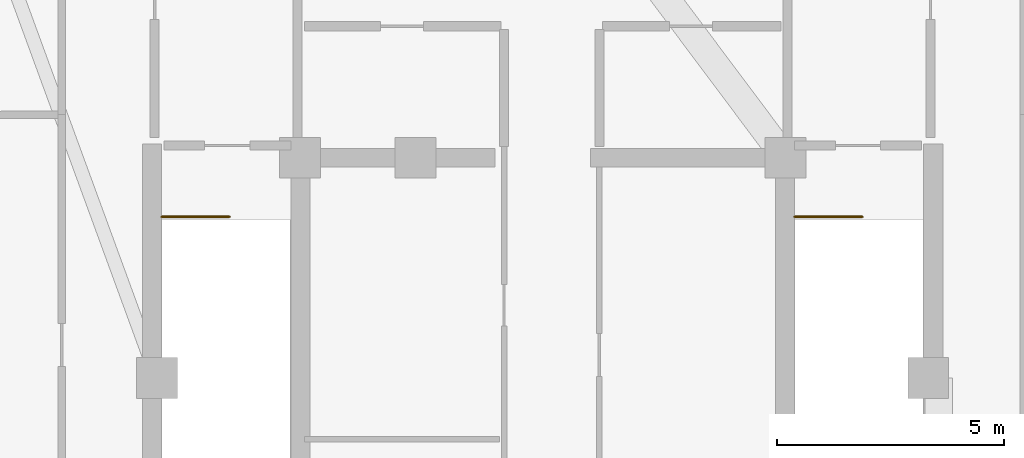
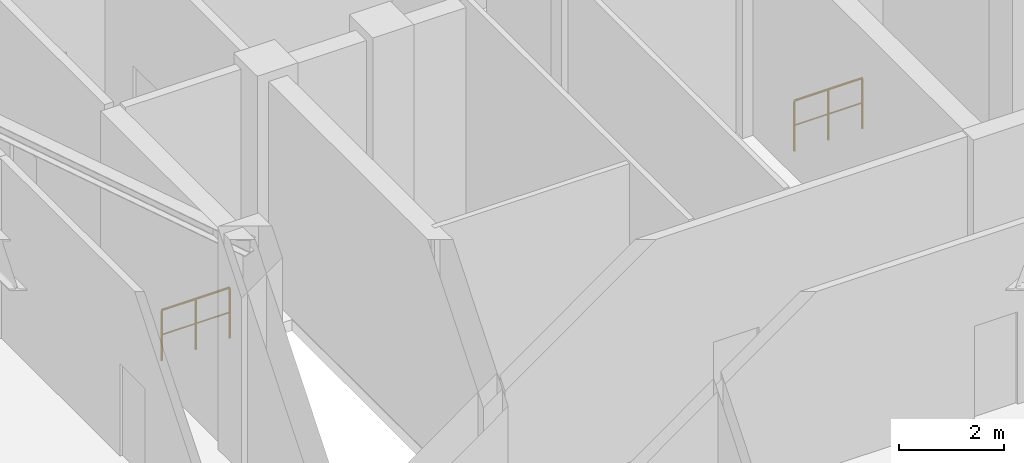
# One storey, part 12 of 12: 2 railings.
"""IFC4 building model written with IfcOpenShell, lengths in metres."""

from ifc_helpers import new_model, si_unit, direction, frame, origin, origin_2d, place, context, subcontext, project, spatial, circle, extrude, material, type_object, element, save


model = new_model("IFC4")

# Units and contexts
model_context = context("Model", 3, precision=1e-05, world=origin(), true_north=direction((0.0, 1.0)))
body_context = subcontext(model_context, "Body", "Model", "MODEL_VIEW")
ifc_project = project(units=[si_unit("LENGTHUNIT", "METRE"), si_unit("AREAUNIT", "SQUARE_METRE"), si_unit("VOLUMEUNIT", "CUBIC_METRE"), si_unit("PLANEANGLEUNIT", "RADIAN"), si_unit("MASSUNIT", "GRAM", prefix="KILO")], contexts=[model_context])

# Site, building, storey
site_placement = place(None, origin())
site = spatial("IfcSite", under=ifc_project, at=site_placement, CompositionType="ELEMENT")
building_placement = place(site_placement, origin())
building = spatial("IfcBuilding", under=site, at=building_placement, Name="Miruveldt Soraemaru", CompositionType="ELEMENT")
storey_placement = place(building_placement, frame((0.0, 0.0, 312.800048828125)))
storey = spatial("IfcBuildingStorey", under=building, at=storey_placement, Name="L82", CompositionType="ELEMENT", Elevation=312.800048828125)

# Railings
ifc_material = material(Name="Steel S355 (355 MPa)", Category="steel")
railing_type = type_object("IfcRailingType", Name="RAIL-STGUARD-1200", PredefinedType="GUARDRAIL", material=ifc_material)
for number, where, name in (
    (1, (35.60009765625, 42.75, 0.0), "L82 ST-1 top well guard 1"),
    (2, (49.550048828125, 42.75, 0.0), "L82 ST-2 top well guard 1"),
):
    element("IfcRailing", number, at=place(storey_placement, frame(where)), inside=storey, type_object=railing_type, Name=name, PredefinedType="GUARDRAIL", context=body_context, shape_type="SweptSolid", body=[
        extrude(circle(Radius=0.02392578125, at=origin_2d()), frame((0.0, 0.0, 1.17578125), z_axis=(1.0, 0.0, 0.0), x_axis=(0.0, 1.0, 0.0)), (0.0, 0.0, 1.0), 1.5),
        extrude(circle(Radius=0.01611328125, at=origin_2d()), frame((0.0, 0.0, 0.60009765625), z_axis=(1.0, 0.0, 0.0), x_axis=(0.0, 1.0, 0.0)), (0.0, 0.0, 1.0), 1.5),
        extrude(circle(Radius=0.02099609375, at=origin_2d()), origin(), (0.0, 0.0, 1.0), 1.15185546875),
        extrude(circle(Radius=0.02099609375, at=origin_2d()), frame((0.75, 0.0, 0.0)), (0.0, 0.0, 1.0), 1.15185546875),
        extrude(circle(Radius=0.02099609375, at=origin_2d()), frame((1.5, 0.0, 0.0)), (0.0, 0.0, 1.0), 1.15185546875),
    ])

save(model, "model.ifc")
